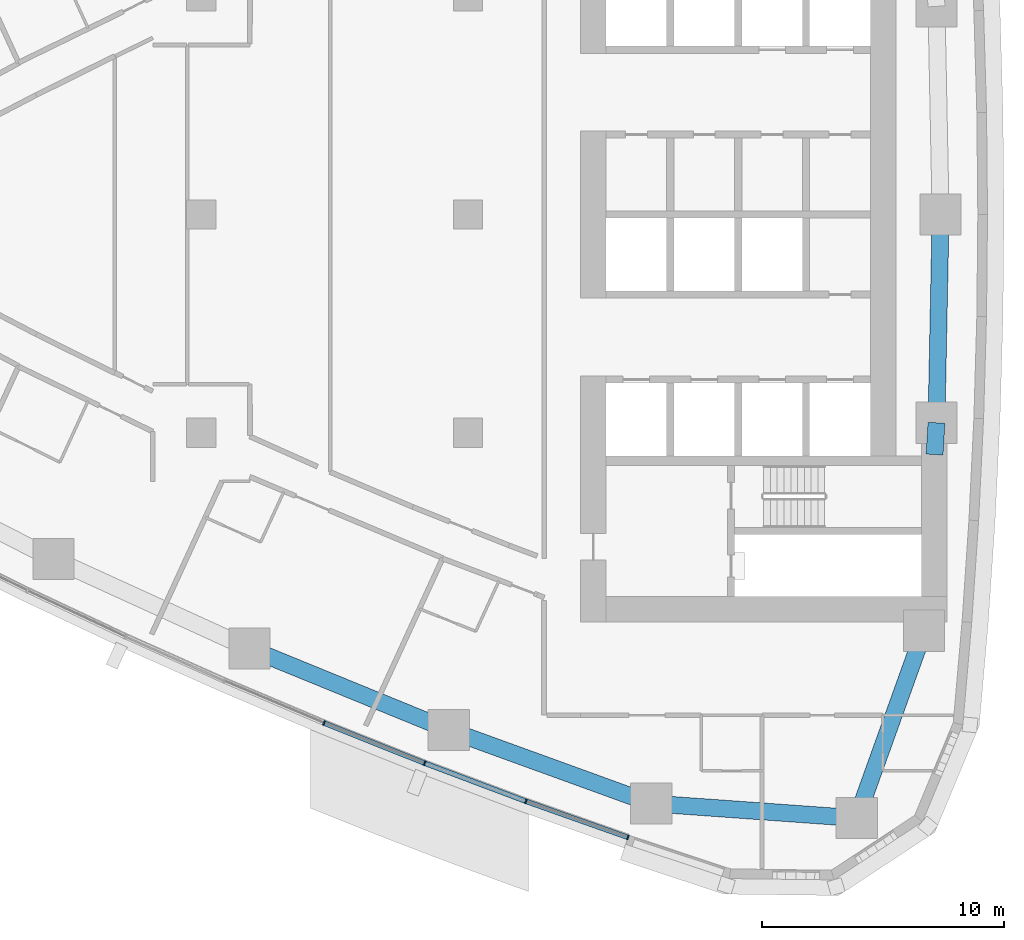
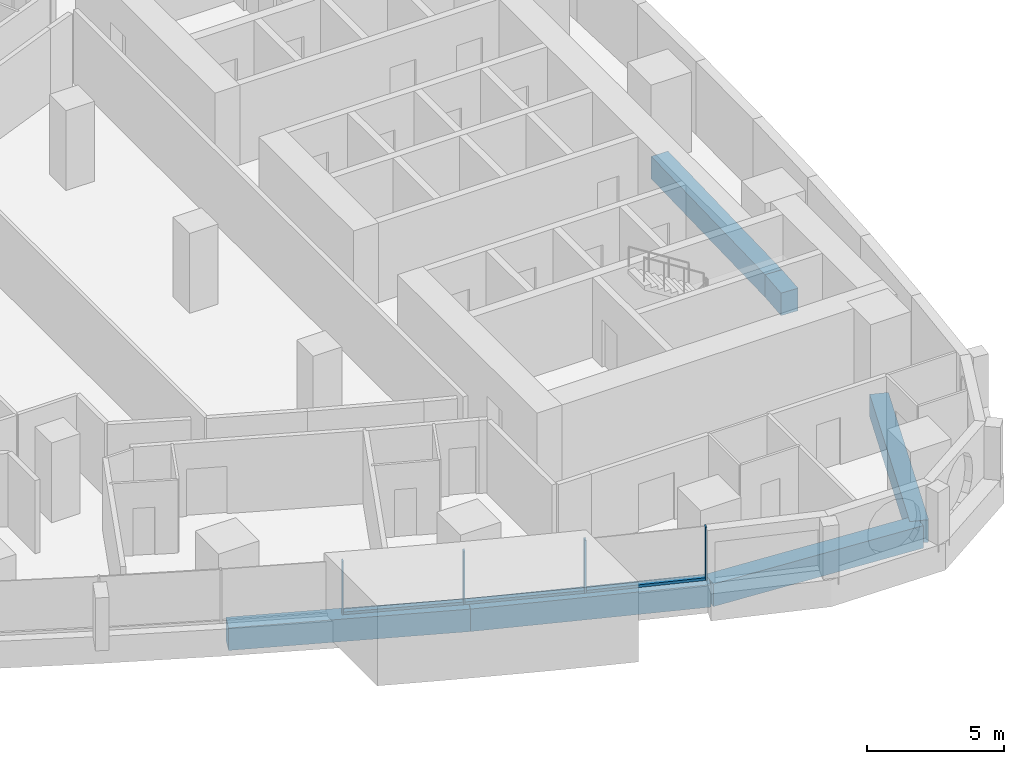
# One storey, part 4 of 17: 7 members, 6 beams, 2 elements without a shape of their own.
"""IFC4 building model written with IfcOpenShell, lengths in metres."""

from ifc_helpers import new_model, si_unit, direction, frame, origin, origin_2d, place, context, subcontext, project, spatial, rectangle, extrude, material, layer, layer_set, material_profile, profile_set, type_object, element, aggregate, save


model = new_model("IFC4")

# Units and contexts
model_context = context("Model", 3, precision=1e-05, world=origin(), true_north=direction((0.0, 1.0)))
body_context = subcontext(model_context, "Body", "Model", "MODEL_VIEW")
ifc_project = project(units=[si_unit("LENGTHUNIT", "METRE"), si_unit("AREAUNIT", "SQUARE_METRE"), si_unit("VOLUMEUNIT", "CUBIC_METRE"), si_unit("PLANEANGLEUNIT", "RADIAN"), si_unit("MASSUNIT", "GRAM", prefix="KILO")], contexts=[model_context])

# Site, building, storey
site_placement = place(None, origin())
site = spatial("IfcSite", under=ifc_project, at=site_placement, CompositionType="ELEMENT")
building_placement = place(site_placement, origin())
building = spatial("IfcBuilding", under=site, at=building_placement, Name="Ostrand Prow Hotel Tower", CompositionType="ELEMENT")
storey_placement = place(building_placement, frame((0.0, 0.0, 92.0)))
storey = spatial("IfcBuildingStorey", under=building, at=storey_placement, Name="L21", CompositionType="ELEMENT", Elevation=92.0)

# Beams
ifc_material_1 = material(Name="Concrete C80/95", Category="concrete")
ifc_material_profile_1 = material_profile(ifc_material_1, rectangle(XDim=0.699951171875, YDim=1.0, at=origin_2d()), Name="RC 700x1000")
ifc_profile_set_1 = profile_set([ifc_material_profile_1], Name="Concrete C80/95")
beam_type = type_object("IfcBeamType", Name="Edge beam 700x1000 C80/95", PredefinedType="SPANDREL", material=ifc_profile_set_1)
beam_1_placement = place(storey_placement, frame((35.98828125, -17.901611328125, -0.800048828125), z_axis=(0.925612172894, -0.378473387955, 0.0), x_axis=(0.378473387955, 0.925612172894, 0.0)))
element("IfcBeam", 1, at=beam_1_placement, inside=storey, type_object=beam_type, Name="Edge beam S4-S5", PredefinedType="SPANDREL", context=body_context, shape_type="SweptSolid", body=[
    extrude(rectangle(XDim=0.699951171875, YDim=1.0, at=origin_2d()), origin(), (0.0, 0.0, 1.0), 8.88330078125),
])
beam_2_placement = place(storey_placement, frame((44.210693359375, -21.263671875, -0.800048828125), z_axis=(0.940062739321, -0.341001533927, 0.0), x_axis=(0.341001533927, 0.940062739321, 0.0)))
element("IfcBeam", 2, at=beam_2_placement, inside=storey, type_object=beam_type, Name="Edge beam S5-S6", PredefinedType="SPANDREL", context=body_context, shape_type="SweptSolid", body=[
    extrude(rectangle(XDim=0.699951171875, YDim=1.0, at=origin_2d()), origin(), (0.0, 0.0, 1.0), 8.883544921875),
])
beam_3_placement = place(storey_placement, frame((52.561767578125, -24.29296875, -0.800048828125), z_axis=(0.99747195063, -0.071061295414, 0.0), x_axis=(0.071061295414, 0.99747195063, 0.0)))
element("IfcBeam", 3, at=beam_3_placement, inside=storey, type_object=beam_type, Name="Edge beam S6-SE", PredefinedType="SPANDREL", context=body_context, shape_type="SweptSolid", body=[
    extrude(rectangle(XDim=0.699951171875, YDim=1.0, at=origin_2d()), origin(), (0.0, 0.0, 1.0), 8.499755859375),
])
beam_4_placement = place(storey_placement, frame((61.0400390625, -24.89697265625, -0.800048828125), z_axis=(0.337815484063, 0.941212355809, 0.0), x_axis=(-0.941212355809, 0.337815484063, 0.0)))
element("IfcBeam", 4, at=beam_4_placement, inside=storey, type_object=beam_type, Name="Edge beam SE-B1", PredefinedType="SPANDREL", context=body_context, shape_type="SweptSolid", body=[
    extrude(rectangle(XDim=0.699951171875, YDim=1.0, at=origin_2d()), origin(), (0.0, 0.0, 1.0), 8.21630859375),
])
beam_5_placement = place(storey_placement, frame((64.25048828125, -9.89990234375, -0.800048828125), z_axis=(0.059658953766, 0.998218818314, 0.0), x_axis=(-0.998218818314, 0.059658953766, 0.0)))
element("IfcBeam", 5, at=beam_5_placement, inside=storey, type_object=beam_type, Name="Edge beam B1-B2", PredefinedType="SPANDREL", context=body_context, shape_type="SweptSolid", body=[
    extrude(rectangle(XDim=0.699951171875, YDim=1.0, at=origin_2d()), origin(), (0.0, 0.0, 1.0), 1.313720703125),
])
beam_6_placement = place(storey_placement, frame((64.328857421875, -8.588623046875, -0.800048828125), z_axis=(0.019922705812, 0.9998015232, 0.0), x_axis=(-0.9998015232, 0.019922705812, 0.0)))
element("IfcBeam", 6, at=beam_6_placement, inside=storey, type_object=beam_type, Name="Edge beam B2-B3", PredefinedType="SPANDREL", context=body_context, shape_type="SweptSolid", body=[
    extrude(rectangle(XDim=0.699951171875, YDim=1.0, at=origin_2d()), origin(), (0.0, 0.0, 1.0), 8.59033203125),
])

# Curtain wall, members
ifc_material_2 = material(Name="Insulated glass in bronze anodised frame", Category="glass")
ifc_layer = layer(ifc_material_2, 0.199951171875)
ifc_layer_set = layer_set([ifc_layer], Name="Insulated glass in bronze anodised frame")
curtain_wall_type = type_object("IfcCurtainWallType", Name="Strip curtain wall, fritted glass over bronze spandrel", PredefinedType="NOTDEFINED", material=ifc_layer_set)
curtain_wall_1_placement = place(storey_placement, origin())
curtain_wall_1 = element("IfcCurtainWall", 7, at=curtain_wall_1_placement, inside=storey, type_object=curtain_wall_type, Name="CW1 run CWS4", PredefinedType="NOTDEFINED")
ifc_material_3 = material(Name="Bronze anodised aluminium", Category="aluminium")
ifc_material_profile_2 = material_profile(ifc_material_3, rectangle(XDim=0.199951171875, YDim=0.06005859375, at=origin_2d()), Name="Mullion 60x200 bronze anodised aluminium")
ifc_profile_set_2 = profile_set([ifc_material_profile_2], Name="Bronze anodised aluminium")
member_type_1 = type_object("IfcMemberType", Name="Mullion 60x200 bronze anodised aluminium", PredefinedType="MULLION", material=ifc_profile_set_2)
member_1_placement = place(storey_placement, frame((39.06396484375, -20.97265625, 0.89990234375), z_axis=(0.0, 0.0, 1.0), x_axis=(0.370982121315, 0.928640008649, 0.0)))
member_1 = element("IfcMember", 8, at=member_1_placement, type_object=member_type_1, Name="CW1 mullion 2", PredefinedType="MULLION", context=body_context, shape_type="SweptSolid", body=[
    extrude(rectangle(XDim=0.199951171875, YDim=0.06005859375, at=origin_2d()), origin(), (0.0, 0.0, 1.0), 2.35009765625),
])
member_2_placement = place(storey_placement, frame((43.211181640625, -22.62939453125, 0.89990234375), z_axis=(0.0, 0.0, 1.0), x_axis=(0.370982121315, 0.928640008649, 0.0)))
member_2 = element("IfcMember", 9, at=member_2_placement, type_object=member_type_1, Name="CW1 mullion 3", PredefinedType="MULLION", context=body_context, shape_type="SweptSolid", body=[
    extrude(rectangle(XDim=0.199951171875, YDim=0.06005859375, at=origin_2d()), origin(), (0.0, 0.0, 1.0), 2.35009765625),
])

curtain_wall_2_placement = place(storey_placement, origin())
curtain_wall_2 = element("IfcCurtainWall", 10, at=curtain_wall_2_placement, inside=storey, type_object=curtain_wall_type, Name="CW1 run CWS5", PredefinedType="NOTDEFINED")
member_3_placement = place(storey_placement, frame((47.390869140625, -24.202880859375, 0.89990234375), z_axis=(0.0, 0.0, 1.0), x_axis=(0.333495894542, 0.942751551748, 0.0)))
member_3 = element("IfcMember", 11, at=member_3_placement, type_object=member_type_1, Name="CW1 mullion 2", PredefinedType="MULLION", context=body_context, shape_type="SweptSolid", body=[
    extrude(rectangle(XDim=0.199951171875, YDim=0.06005859375, at=origin_2d()), origin(), (0.0, 0.0, 1.0), 2.35009765625),
])
member_4_placement = place(storey_placement, frame((51.601318359375, -25.692138671875, 0.89990234375), z_axis=(0.0, 0.0, 1.0), x_axis=(0.333495894542, 0.942751551748, 0.0)))
member_4 = element("IfcMember", 12, at=member_4_placement, type_object=member_type_1, Name="CW1 mullion 3", PredefinedType="MULLION", context=body_context, shape_type="SweptSolid", body=[
    extrude(rectangle(XDim=0.199951171875, YDim=0.06005859375, at=origin_2d()), origin(), (0.0, 0.0, 1.0), 2.35009765625),
])

# Member
ifc_material_4 = material(Name="Bronze anodised aluminium", Category="aluminium")
ifc_material_profile_3 = material_profile(ifc_material_4, rectangle(XDim=0.199951171875, YDim=0.1201171875, at=origin_2d()), Name="Transom 120x200 bronze anodised aluminium")
ifc_profile_set_3 = profile_set([ifc_material_profile_3], Name="Bronze anodised aluminium")
member_type_2 = type_object("IfcMemberType", Name="Transom 120x200 bronze anodised aluminium", PredefinedType="USERDEFINED", material=ifc_profile_set_3)
member_5_placement = place(storey_placement, frame((39.091796875, -20.983642578125, 0.9599609375), z_axis=(0.928621833209, -0.371027614724, 0.0), x_axis=(0.371027614724, 0.928621833209, 0.0)))
member_5 = element("IfcMember", 13, at=member_5_placement, type_object=member_type_2, Name="CW1 transom 2.1", ObjectType="TRANSOM", PredefinedType="USERDEFINED", context=body_context, shape_type="SweptSolid", body=[
    extrude(rectangle(XDim=0.199951171875, YDim=0.1201171875, at=origin_2d()), origin(), (0.0, 0.0, 1.0), 4.406005859375),
])

aggregate(curtain_wall_1, [member_1, member_2, member_5])

member_6_placement = place(storey_placement, frame((43.2392578125, -22.639892578125, 0.9599609375), z_axis=(0.935868398429, -0.352349742191, 0.0), x_axis=(0.352349742191, 0.935868398429, 0.0)))
member_6 = element("IfcMember", 14, at=member_6_placement, type_object=member_type_2, Name="CW1 transom 1.1", ObjectType="TRANSOM", PredefinedType="USERDEFINED", context=body_context, shape_type="SweptSolid", body=[
    extrude(rectangle(XDim=0.199951171875, YDim=0.1201171875, at=origin_2d()), origin(), (0.0, 0.0, 1.0), 4.406005859375),
])

member_7_placement = place(storey_placement, frame((47.419189453125, -24.212890625, 0.9599609375), z_axis=(0.942763014139, -0.333463490013, 0.0), x_axis=(0.333463490013, 0.942763014139, 0.0)))
member_7 = element("IfcMember", 15, at=member_7_placement, type_object=member_type_2, Name="CW1 transom 2.1", ObjectType="TRANSOM", PredefinedType="USERDEFINED", context=body_context, shape_type="SweptSolid", body=[
    extrude(rectangle(XDim=0.199951171875, YDim=0.1201171875, at=origin_2d()), origin(), (0.0, 0.0, 1.0), 4.406005859375),
])

aggregate(curtain_wall_2, [member_3, member_4, member_6, member_7])

save(model, "model.ifc")
